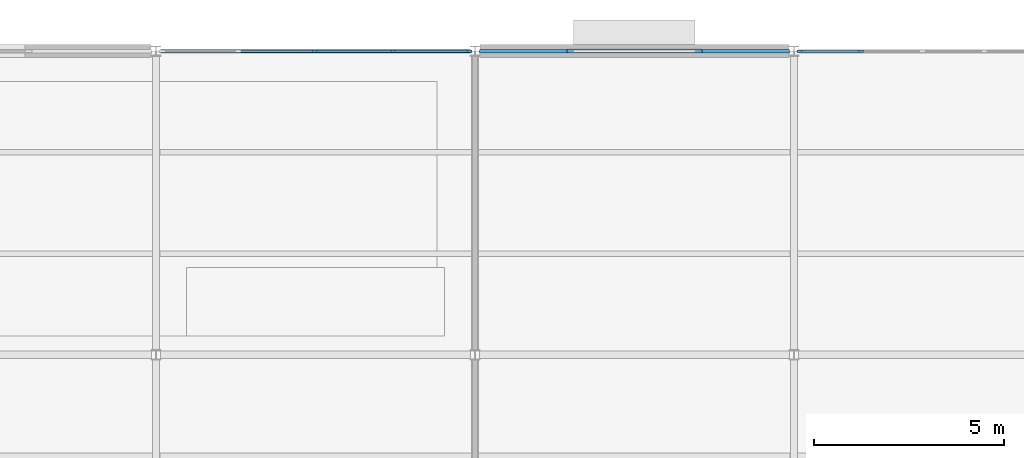
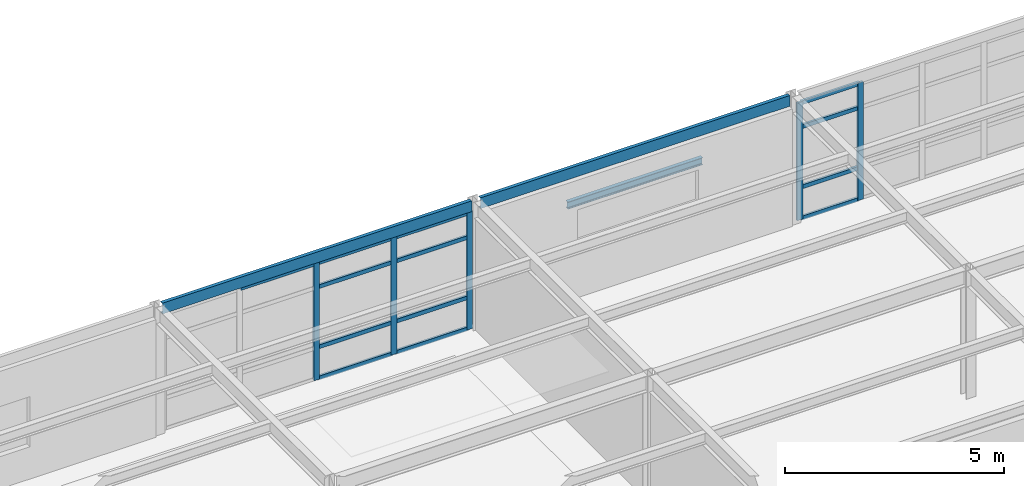
# One storey, part 25 of 53: 18 members, 3 beams, 2 elements without a shape of their own.
"""IFC4 building model written with IfcOpenShell, lengths in metres."""

from ifc_helpers import new_model, si_unit, direction, frame, origin, origin_2d, place, context, subcontext, project, spatial, rectangle, i_section, u_section, extrude, material, layer, layer_set, material_profile, profile_set, type_object, element, aggregate, save


model = new_model("IFC4")

# Units and contexts
model_context = context("Model", 3, precision=1e-05, world=origin(), true_north=direction((0.0, 1.0)))
body_context = subcontext(model_context, "Body", "Model", "MODEL_VIEW")
ifc_project = project(units=[si_unit("LENGTHUNIT", "METRE"), si_unit("AREAUNIT", "SQUARE_METRE"), si_unit("VOLUMEUNIT", "CUBIC_METRE"), si_unit("PLANEANGLEUNIT", "RADIAN"), si_unit("MASSUNIT", "GRAM", prefix="KILO")], contexts=[model_context])

# Site, building, storey
site_placement = place(None, origin())
site = spatial("IfcSite", under=ifc_project, at=site_placement, CompositionType="ELEMENT")
building_placement = place(site_placement, origin())
building = spatial("IfcBuilding", under=site, at=building_placement, Name="Kranzveld Transit Interchange", CompositionType="ELEMENT")
storey_placement = place(building_placement, frame((0.0, 0.0, 13.360107421875)))
storey = spatial("IfcBuildingStorey", under=building, at=storey_placement, Name="L03", CompositionType="ELEMENT", Elevation=13.360107421875)

# Curtain wall, members
ifc_material_1 = material(Name="Bronze-anodised thermally broken aluminium", Category="aluminium")
ifc_layer_1 = layer(ifc_material_1, 0.159912109375)
ifc_layer_set_1 = layer_set([ifc_layer_1], Name="Bronze-anodised thermally broken aluminium")
curtain_wall_type_1 = type_object("IfcCurtainWallType", Name="Bus Boarding Glazed Screen CW-3", PredefinedType="USERDEFINED", material=ifc_layer_set_1)
curtain_wall_1_placement = place(storey_placement, origin())
curtain_wall_1 = element("IfcCurtainWall", 1, at=curtain_wall_1_placement, inside=storey, type_object=curtain_wall_type_1, Name="L03 Curtain Wall 14/Q-15/Q", ObjectType="CURTAIN WALL", PredefinedType="USERDEFINED")
ifc_material_2 = material(Name="Bronze-anodised thermally broken aluminium", Category="aluminium")
ifc_material_profile_1 = material_profile(ifc_material_2, rectangle(XDim=0.06005859375, YDim=0.14990234375, at=origin_2d()), Name="ALU MULLION 60x150")
ifc_profile_set_1 = profile_set([ifc_material_profile_1], Name="Bronze-anodised thermally broken aluminium")
member_type_1 = type_object("IfcMemberType", Name="Curtain Wall Mullion 60x150 Alu", PredefinedType="MULLION", material=ifc_profile_set_1)
member_1_placement = place(storey_placement, frame((113.39990234375, 112.0, 0.0), z_axis=(0.0, 0.0, 1.0), x_axis=(0.0, 1.0, 0.0)))
member_1 = element("IfcMember", 2, at=member_1_placement, type_object=member_type_1, Name="CW-3 mullion 3", PredefinedType="MULLION", context=body_context, shape_type="SweptSolid", body=[
    extrude(rectangle(XDim=0.06005859375, YDim=0.14990234375, at=origin_2d()), origin(), (0.0, 0.0, 1.0), 3.27978515625),
])
member_2_placement = place(storey_placement, frame((115.43603515625, 112.0, 0.0), z_axis=(0.0, 0.0, 1.0), x_axis=(0.0, 1.0, 0.0)))
member_2 = element("IfcMember", 3, at=member_2_placement, type_object=member_type_1, Name="CW-3 mullion 4", PredefinedType="MULLION", context=body_context, shape_type="SweptSolid", body=[
    extrude(rectangle(XDim=0.06005859375, YDim=0.14990234375, at=origin_2d()), origin(), (0.0, 0.0, 1.0), 3.27978515625),
])
member_3_placement = place(storey_placement, frame((117.44189453125, 112.0, 0.0), z_axis=(0.0, 0.0, 1.0), x_axis=(0.0, 1.0, 0.0)))
member_3 = element("IfcMember", 4, at=member_3_placement, type_object=member_type_1, Name="CW-3 mullion 5", PredefinedType="MULLION", context=body_context, shape_type="SweptSolid", body=[
    extrude(rectangle(XDim=0.06005859375, YDim=0.14990234375, at=origin_2d()), origin(), (0.0, 0.0, 1.0), 3.27978515625),
])

ifc_material_3 = material(Name="Bronze-anodised thermally broken aluminium", Category="aluminium")
ifc_layer_2 = layer(ifc_material_3, 0.14990234375)
ifc_layer_set_2 = layer_set([ifc_layer_2], Name="Bronze-anodised thermally broken aluminium")
curtain_wall_type_2 = type_object("IfcCurtainWallType", Name="Public Passage Clerestory Screen CW-4", PredefinedType="USERDEFINED", material=ifc_layer_set_2)
curtain_wall_2_placement = place(storey_placement, origin())
curtain_wall_2 = element("IfcCurtainWall", 5, at=curtain_wall_2_placement, inside=storey, type_object=curtain_wall_type_2, Name="L03 Curtain Wall 16/Q-17/Q", ObjectType="CURTAIN WALL", PredefinedType="USERDEFINED")
member_4_placement = place(storey_placement, frame((126.158203125, 112.0, 0.0), z_axis=(0.0, 0.0, 1.0), x_axis=(0.0, 1.0, 0.0)))
member_4 = element("IfcMember", 6, at=member_4_placement, type_object=member_type_1, Name="CW-4 mullion 1", PredefinedType="MULLION", context=body_context, shape_type="SweptSolid", body=[
    extrude(rectangle(XDim=0.06005859375, YDim=0.14990234375, at=origin_2d()), origin(), (0.0, 0.0, 1.0), 3.27978515625),
])
member_5_placement = place(storey_placement, frame((127.7568359375, 112.0, 0.0), z_axis=(0.0, 0.0, 1.0), x_axis=(0.0, 1.0, 0.0)))
member_5 = element("IfcMember", 7, at=member_5_placement, type_object=member_type_1, Name="CW-4 mullion 2", PredefinedType="MULLION", context=body_context, shape_type="SweptSolid", body=[
    extrude(rectangle(XDim=0.06005859375, YDim=0.14990234375, at=origin_2d()), origin(), (0.0, 0.0, 1.0), 3.27978515625),
])

# Member
ifc_material_4 = material(Name="Bronze-anodised thermally broken aluminium", Category="aluminium")
ifc_material_profile_2 = material_profile(ifc_material_4, rectangle(XDim=0.06005859375, YDim=0.110107421875, at=origin_2d()), Name="ALU TRANSOM 60x110")
ifc_profile_set_2 = profile_set([ifc_material_profile_2], Name="Bronze-anodised thermally broken aluminium")
member_type_2 = type_object("IfcMemberType", Name="Curtain Wall Transom 60x110 Alu", PredefinedType="USERDEFINED", material=ifc_profile_set_2)
member_6_placement = place(storey_placement, frame((111.39404296875, 112.0, 3.25), z_axis=(1.0, 0.0, 0.0), x_axis=(0.0, 1.0, 0.0)))
member_6 = element("IfcMember", 8, at=member_6_placement, type_object=member_type_2, Name="CW-3 transom 2.4", ObjectType="TRANSOM", PredefinedType="USERDEFINED", context=body_context, shape_type="SweptSolid", body=[
    extrude(rectangle(XDim=0.06005859375, YDim=0.110107421875, at=origin_2d()), origin(), (0.0, 0.0, 1.0), 1.97607421875),
])

member_7_placement = place(storey_placement, frame((113.429931640625, 112.0, 0.02978515625), z_axis=(1.0, 0.0, 0.0), x_axis=(0.0, 1.0, 0.0)))
member_7 = element("IfcMember", 9, at=member_7_placement, type_object=member_type_2, Name="CW-3 transom 3.1", ObjectType="TRANSOM", PredefinedType="USERDEFINED", context=body_context, shape_type="SweptSolid", body=[
    extrude(rectangle(XDim=0.06005859375, YDim=0.110107421875, at=origin_2d()), origin(), (0.0, 0.0, 1.0), 1.97607421875),
])

member_8_placement = place(storey_placement, frame((113.429931640625, 112.0, 0.89990234375), z_axis=(1.0, 0.0, 0.0), x_axis=(0.0, 1.0, 0.0)))
member_8 = element("IfcMember", 10, at=member_8_placement, type_object=member_type_2, Name="CW-3 transom 3.2", ObjectType="TRANSOM", PredefinedType="USERDEFINED", context=body_context, shape_type="SweptSolid", body=[
    extrude(rectangle(XDim=0.06005859375, YDim=0.110107421875, at=origin_2d()), origin(), (0.0, 0.0, 1.0), 1.97607421875),
])

member_9_placement = place(storey_placement, frame((113.429931640625, 112.0, 2.579833984375), z_axis=(1.0, 0.0, 0.0), x_axis=(0.0, 1.0, 0.0)))
member_9 = element("IfcMember", 11, at=member_9_placement, type_object=member_type_2, Name="CW-3 transom 3.3", ObjectType="TRANSOM", PredefinedType="USERDEFINED", context=body_context, shape_type="SweptSolid", body=[
    extrude(rectangle(XDim=0.06005859375, YDim=0.110107421875, at=origin_2d()), origin(), (0.0, 0.0, 1.0), 1.97607421875),
])

member_10_placement = place(storey_placement, frame((113.429931640625, 112.0, 3.25), z_axis=(1.0, 0.0, 0.0), x_axis=(0.0, 1.0, 0.0)))
member_10 = element("IfcMember", 12, at=member_10_placement, type_object=member_type_2, Name="CW-3 transom 3.4", ObjectType="TRANSOM", PredefinedType="USERDEFINED", context=body_context, shape_type="SweptSolid", body=[
    extrude(rectangle(XDim=0.06005859375, YDim=0.110107421875, at=origin_2d()), origin(), (0.0, 0.0, 1.0), 1.97607421875),
])

member_11_placement = place(storey_placement, frame((115.466064453125, 112.0, 0.02978515625), z_axis=(1.0, 0.0, 0.0), x_axis=(0.0, 1.0, 0.0)))
member_11 = element("IfcMember", 13, at=member_11_placement, type_object=member_type_2, Name="CW-3 transom 4.1", ObjectType="TRANSOM", PredefinedType="USERDEFINED", context=body_context, shape_type="SweptSolid", body=[
    extrude(rectangle(XDim=0.06005859375, YDim=0.110107421875, at=origin_2d()), origin(), (0.0, 0.0, 1.0), 1.94580078125),
])

member_12_placement = place(storey_placement, frame((115.466064453125, 112.0, 0.89990234375), z_axis=(1.0, 0.0, 0.0), x_axis=(0.0, 1.0, 0.0)))
member_12 = element("IfcMember", 14, at=member_12_placement, type_object=member_type_2, Name="CW-3 transom 4.2", ObjectType="TRANSOM", PredefinedType="USERDEFINED", context=body_context, shape_type="SweptSolid", body=[
    extrude(rectangle(XDim=0.06005859375, YDim=0.110107421875, at=origin_2d()), origin(), (0.0, 0.0, 1.0), 1.94580078125),
])

member_13_placement = place(storey_placement, frame((115.466064453125, 112.0, 2.579833984375), z_axis=(1.0, 0.0, 0.0), x_axis=(0.0, 1.0, 0.0)))
member_13 = element("IfcMember", 15, at=member_13_placement, type_object=member_type_2, Name="CW-3 transom 4.3", ObjectType="TRANSOM", PredefinedType="USERDEFINED", context=body_context, shape_type="SweptSolid", body=[
    extrude(rectangle(XDim=0.06005859375, YDim=0.110107421875, at=origin_2d()), origin(), (0.0, 0.0, 1.0), 1.94580078125),
])

member_14_placement = place(storey_placement, frame((115.466064453125, 112.0, 3.25), z_axis=(1.0, 0.0, 0.0), x_axis=(0.0, 1.0, 0.0)))
member_14 = element("IfcMember", 16, at=member_14_placement, type_object=member_type_2, Name="CW-3 transom 4.4", ObjectType="TRANSOM", PredefinedType="USERDEFINED", context=body_context, shape_type="SweptSolid", body=[
    extrude(rectangle(XDim=0.06005859375, YDim=0.110107421875, at=origin_2d()), origin(), (0.0, 0.0, 1.0), 1.94580078125),
])

aggregate(curtain_wall_1, [member_1, member_2, member_3, member_6, member_7, member_8, member_9, member_10, member_11, member_12, member_13, member_14])

member_15_placement = place(storey_placement, frame((126.18798828125, 112.0, 0.02978515625), z_axis=(1.0, 0.0, 0.0), x_axis=(0.0, 1.0, 0.0)))
member_15 = element("IfcMember", 17, at=member_15_placement, type_object=member_type_2, Name="CW-4 transom 1.1", ObjectType="TRANSOM", PredefinedType="USERDEFINED", context=body_context, shape_type="SweptSolid", body=[
    extrude(rectangle(XDim=0.06005859375, YDim=0.110107421875, at=origin_2d()), origin(), (0.0, 0.0, 1.0), 1.538818359375),
])

member_16_placement = place(storey_placement, frame((126.18798828125, 112.0, 0.89990234375), z_axis=(1.0, 0.0, 0.0), x_axis=(0.0, 1.0, 0.0)))
member_16 = element("IfcMember", 18, at=member_16_placement, type_object=member_type_2, Name="CW-4 transom 1.2", ObjectType="TRANSOM", PredefinedType="USERDEFINED", context=body_context, shape_type="SweptSolid", body=[
    extrude(rectangle(XDim=0.06005859375, YDim=0.110107421875, at=origin_2d()), origin(), (0.0, 0.0, 1.0), 1.538818359375),
])

member_17_placement = place(storey_placement, frame((126.18798828125, 112.0, 2.579833984375), z_axis=(1.0, 0.0, 0.0), x_axis=(0.0, 1.0, 0.0)))
member_17 = element("IfcMember", 19, at=member_17_placement, type_object=member_type_2, Name="CW-4 transom 1.3", ObjectType="TRANSOM", PredefinedType="USERDEFINED", context=body_context, shape_type="SweptSolid", body=[
    extrude(rectangle(XDim=0.06005859375, YDim=0.110107421875, at=origin_2d()), origin(), (0.0, 0.0, 1.0), 1.538818359375),
])

member_18_placement = place(storey_placement, frame((126.18798828125, 112.0, 3.25), z_axis=(1.0, 0.0, 0.0), x_axis=(0.0, 1.0, 0.0)))
member_18 = element("IfcMember", 20, at=member_18_placement, type_object=member_type_2, Name="CW-4 transom 1.4", ObjectType="TRANSOM", PredefinedType="USERDEFINED", context=body_context, shape_type="SweptSolid", body=[
    extrude(rectangle(XDim=0.06005859375, YDim=0.110107421875, at=origin_2d()), origin(), (0.0, 0.0, 1.0), 1.538818359375),
])

aggregate(curtain_wall_2, [member_4, member_5, member_15, member_16, member_17, member_18])

# Beams
ifc_material_5 = material(Name="Steel S355JR", Category="steel")
ifc_material_profile_3 = material_profile(ifc_material_5, u_section(Depth=0.300048828125, FlangeWidth=0.090087890625, WebThickness=0.009033203125, FlangeThickness=0.015380859375, FilletRadius=0.011962890625, at=origin_2d()), Name="PFC 300x90x41")
ifc_profile_set_3 = profile_set([ifc_material_profile_3], Name="Steel S355JR")
beam_type_1 = type_object("IfcBeamType", Name="Edge Spandrel PFC 300x90x41 S355JR", PredefinedType="SPANDREL", material=ifc_profile_set_3)
for number, where, z_axis, x_axis, name in (
    (21, (109.318115234375, 112.0, 3.429931640625), (1.0, 0.0, 0.0), (0.0, 1.0, 0.0), "L03 Girder 14-15/Q"),
    (22, (117.718017578125, 112.0, 3.429931640625), (1.0, 0.0, 0.0), (0.0, 1.0, 0.0), "L03 Girder 15-16/Q"),
):
    element("IfcBeam", number, at=place(storey_placement, frame(where, z_axis=z_axis, x_axis=x_axis)), inside=storey, type_object=beam_type_1, Name=name, PredefinedType="SPANDREL", context=body_context, shape_type="SweptSolid", body=[
        extrude(u_section(Depth=0.300048828125, FlangeWidth=0.090087890625, WebThickness=0.009033203125, FlangeThickness=0.015380859375, FilletRadius=0.011962890625, at=origin_2d()), origin(), (0.0, 0.0, 1.0), 8.163818359375),
    ])
ifc_material_6 = material(Name="Steel S355JR", Category="steel")
ifc_material_profile_4 = material_profile(ifc_material_6, i_section(OverallWidth=0.10009765625, OverallDepth=0.199951171875, WebThickness=0.005615234375, FlangeThickness=0.008544921875, FilletRadius=0.011962890625, at=origin_2d()), Name="IPE 200")
ifc_profile_set_4 = profile_set([ifc_material_profile_4], Name="Steel S355JR")
beam_type_2 = type_object("IfcBeamType", Name="Opening Lintel IPE 200 S355JR", PredefinedType="LINTEL", material=ifc_profile_set_4)
beam_placement = place(storey_placement, frame((120.02001953125, 112.0, 2.554931640625), z_axis=(1.0, 0.0, 0.0), x_axis=(0.0, 1.0, 0.0)))
element("IfcBeam", 23, at=beam_placement, inside=storey, type_object=beam_type_2, Name="L03 Window Lintel 194", PredefinedType="LINTEL", context=body_context, shape_type="SweptSolid", body=[
    extrude(i_section(OverallWidth=0.10009765625, OverallDepth=0.199951171875, WebThickness=0.005615234375, FlangeThickness=0.008544921875, FilletRadius=0.011962890625, at=origin_2d()), origin(), (0.0, 0.0, 1.0), 3.56005859375),
])

save(model, "model.ifc")
